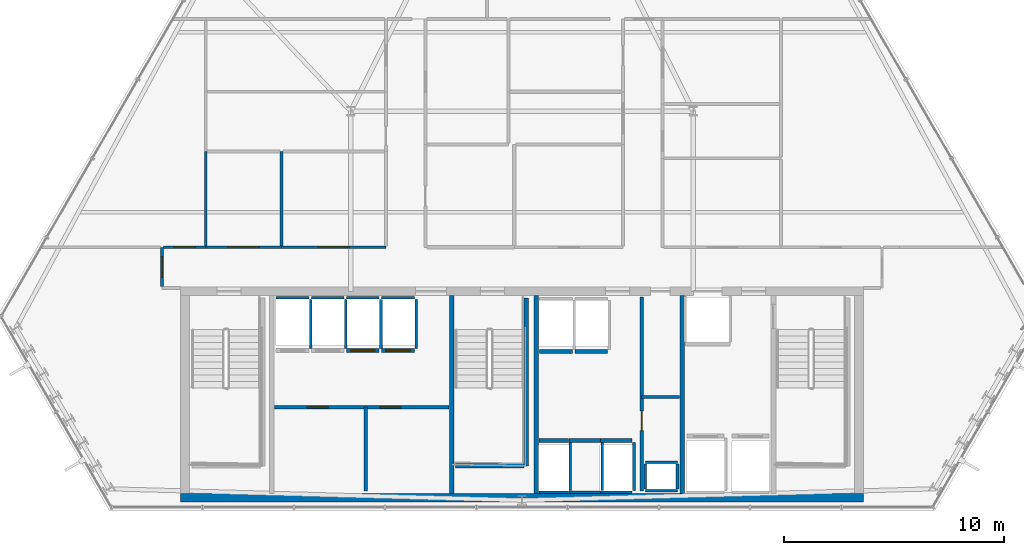
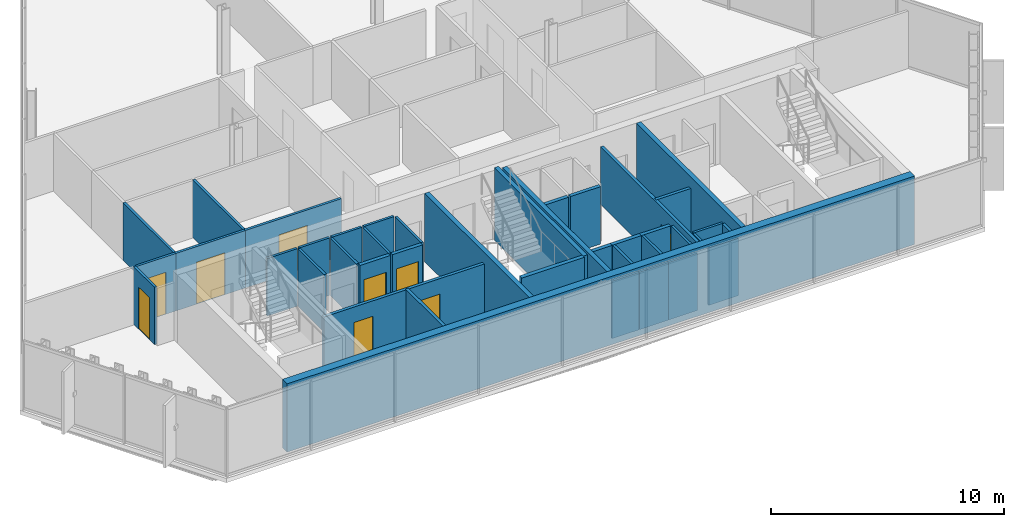
# One storey, part 28 of 35: 41 walls, 9 doors, 9 openings.
"""IFC4 building model written with IfcOpenShell, lengths in metres."""

from ifc_helpers import new_model, si_unit, direction, frame, frame_2d, origin, place, context, subcontext, project, spatial, rectangle, extrude, material, layer, layer_set, type_object, element, fill, save


model = new_model("IFC4")

# Units and contexts
model_context = context("Model", 3, precision=1e-05, world=origin(), true_north=direction((0.0, 1.0)))
body_context = subcontext(model_context, "Body", "Model", "MODEL_VIEW")
ifc_project = project(units=[si_unit("LENGTHUNIT", "METRE"), si_unit("AREAUNIT", "SQUARE_METRE"), si_unit("VOLUMEUNIT", "CUBIC_METRE"), si_unit("PLANEANGLEUNIT", "RADIAN"), si_unit("MASSUNIT", "GRAM", prefix="KILO")], contexts=[model_context])

# Site, building, storey
site_placement = place(None, origin())
site = spatial("IfcSite", under=ifc_project, at=site_placement, CompositionType="ELEMENT")
building_placement = place(site_placement, origin())
building = spatial("IfcBuilding", under=site, at=building_placement, Name="Ndaravel Arena Tower", CompositionType="ELEMENT")
storey_placement = place(building_placement, frame((0.0, 0.0, 176.39990234375)))
storey = spatial("IfcBuildingStorey", under=building, at=storey_placement, Name="L42", CompositionType="ELEMENT", Elevation=176.39990234375)

# Wall, opening, door
ifc_material_1 = material(Name="Gypsum", Category="gypsum")
ifc_layer_1 = layer(ifc_material_1, 0.14990234375)
ifc_layer_set_1 = layer_set([ifc_layer_1], Name="Gypsum")
wall_type_1 = type_object("IfcWallType", Name="WALL-COMP-150", PredefinedType="PARTITIONING", material=ifc_layer_set_1)
wall_1_placement = place(storey_placement, frame((47.449951171875, 5.89990234375, 0.0), z_axis=(0.0, 0.0, 1.0), x_axis=(0.0, 1.0, 0.0)))
wall_1 = element("IfcWall", 1, at=wall_1_placement, inside=storey, type_object=wall_type_1, Name="L42 Core Riser Bay Partition", PredefinedType="PARTITIONING", context=body_context, shape_type="SweptSolid", body=[
    extrude(rectangle(XDim=8.85009765625, YDim=0.14990234375, at=frame_2d((4.425048828125, 0.0))), origin(), (0.0, 0.0, 1.0), 3.010498046875),
])
opening_1_placement = place(wall_1_placement, frame((2.75, 0.0, 0.0)))
opening_1 = element("IfcOpeningElement", 2, at=opening_1_placement, cuts=wall_1, Name="Opening RD-01", PredefinedType="OPENING", context=body_context, shape_type="SweptSolid", body=[
    extrude(rectangle(XDim=0.89990234375, YDim=2.10009765625, at=frame_2d((0.449951171875, 1.050048828125))), frame((0.0, 0.074951171875, 0.0), z_axis=(0.0, -1.0, 0.0), x_axis=(1.0, 0.0, 0.0)), (0.0, 0.0, 1.0), 0.14990234375),
])
ifc_material_2 = material(Name="Steel S355", Category="steel")
door_type_1 = type_object("IfcDoorType", Name="DT-08-RISER-900", OperationType="SINGLE_SWING_LEFT", PredefinedType="DOOR", material=ifc_material_2)
door_1_placement = place(opening_1_placement, origin())
door_1 = element("IfcDoor", 3, at=door_1_placement, inside=storey, type_object=door_type_1, Name="L42 Electrical Riser Door", OperationType="SINGLE_SWING_RIGHT", OverallHeight=2.10009765625, OverallWidth=0.89990234375, PredefinedType="DOOR", context=body_context, shape_type="SweptSolid", body=[
    extrude(rectangle(XDim=0.89990234375, YDim=2.10009765625, at=frame_2d((0.449951171875, 1.050048828125))), frame((0.0, 0.02490234375, 0.0), z_axis=(0.0, -1.0, 0.0), x_axis=(1.0, 0.0, 0.0)), (0.0, 0.0, 1.0), 0.050048828125),
])
fill(opening_1, door_1)

# Wall
wall_2_placement = place(storey_placement, frame((47.449951171875, 10.179931640625, 0.0), z_axis=(0.0, 0.0, 1.0), x_axis=(1.0, 0.0, 0.0)))
element("IfcWall", 4, at=wall_2_placement, inside=storey, type_object=wall_type_1, Name="L42 Core Riser Divider 1", PredefinedType="PARTITIONING", context=body_context, shape_type="SweptSolid", body=[
    extrude(rectangle(XDim=1.72998046875, YDim=0.14990234375, at=frame_2d((0.864990234375, 0.0))), origin(), (0.0, 0.0, 1.0), 3.010498046875),
])

# Wall, openings, doors
wall_3_placement = place(storey_placement, frame((30.719970703125, 9.719970703125, 0.0), z_axis=(0.0, 0.0, 1.0), x_axis=(1.0, 0.0, 0.0)))
wall_3 = element("IfcWall", 5, at=wall_3_placement, inside=storey, type_object=wall_type_1, Name="L42 Reclaimed Shaft Partition", PredefinedType="PARTITIONING", context=body_context, shape_type="SweptSolid", body=[
    extrude(rectangle(XDim=7.9599609375, YDim=0.14990234375, at=frame_2d((3.97998046875, 0.0))), origin(), (0.0, 0.0, 1.0), 3.010498046875),
])
opening_2_placement = place(wall_3_placement, frame((1.5, 0.0, 0.0)))
opening_2 = element("IfcOpeningElement", 6, at=opening_2_placement, cuts=wall_3, Name="Opening FD-03", PredefinedType="OPENING", context=body_context, shape_type="SweptSolid", body=[
    extrude(rectangle(XDim=0.949951171875, YDim=2.199951171875, at=frame_2d((0.47509765625, 1.10009765625))), frame((0.0, 0.074951171875, 0.0), z_axis=(0.0, -1.0, 0.0), x_axis=(1.0, 0.0, 0.0)), (0.0, 0.0, 1.0), 0.14990234375),
])
opening_3_placement = place(wall_3_placement, frame((4.81005859375, 0.0, 0.0)))
opening_3 = element("IfcOpeningElement", 7, at=opening_3_placement, cuts=wall_3, Name="Opening FD-03", PredefinedType="OPENING", context=body_context, shape_type="SweptSolid", body=[
    extrude(rectangle(XDim=0.949951171875, YDim=2.199951171875, at=frame_2d((0.47509765625, 1.10009765625))), frame((0.0, 0.074951171875, 0.0), z_axis=(0.0, -1.0, 0.0), x_axis=(1.0, 0.0, 0.0)), (0.0, 0.0, 1.0), 0.14990234375),
])
ifc_material_3 = material(Name="Steel S355", Category="steel")
door_type_2 = type_object("IfcDoorType", Name="DT-11-CORE-950", OperationType="SINGLE_SWING_LEFT", PredefinedType="DOOR", material=ifc_material_3)
door_2_placement = place(opening_2_placement, origin())
door_2 = element("IfcDoor", 8, at=door_2_placement, inside=storey, type_object=door_type_2, Name="L42 ICT Server Room Door", OperationType="SINGLE_SWING_LEFT", OverallHeight=2.199951171875, OverallWidth=0.949951171875, PredefinedType="DOOR", context=body_context, shape_type="SweptSolid", body=[
    extrude(rectangle(XDim=0.949951171875, YDim=2.199951171875, at=frame_2d((0.47509765625, 1.10009765625))), frame((0.0, 0.02490234375, 0.0), z_axis=(0.0, -1.0, 0.0), x_axis=(1.0, 0.0, 0.0)), (0.0, 0.0, 1.0), 0.050048828125),
])
fill(opening_2, door_2)
door_3_placement = place(opening_3_placement, origin())
door_3 = element("IfcDoor", 9, at=door_3_placement, inside=storey, type_object=door_type_2, Name="L42 Core Archive Room Door", OperationType="SINGLE_SWING_RIGHT", OverallHeight=2.199951171875, OverallWidth=0.949951171875, PredefinedType="DOOR", context=body_context, shape_type="SweptSolid", body=[
    extrude(rectangle(XDim=0.949951171875, YDim=2.199951171875, at=frame_2d((0.47509765625, 1.10009765625))), frame((0.0, 0.02490234375, 0.0), z_axis=(0.0, -1.0, 0.0), x_axis=(1.0, 0.0, 0.0)), (0.0, 0.0, 1.0), 0.050048828125),
])
fill(opening_3, door_3)

# Walls
wall_4_placement = place(storey_placement, frame((34.8798828125, 5.89990234375, 0.0), z_axis=(0.0, 0.0, 1.0), x_axis=(0.0, 1.0, 0.0)))
element("IfcWall", 10, at=wall_4_placement, inside=storey, type_object=wall_type_1, Name="L42 Reclaimed Bay Divider", PredefinedType="PARTITIONING", context=body_context, shape_type="SweptSolid", body=[
    extrude(rectangle(XDim=3.820068359375, YDim=0.14990234375, at=frame_2d((1.91015625, 0.0))), origin(), (0.0, 0.0, 1.0), 3.010498046875),
])
ifc_material_4 = material(Name="Concrete C50/60", Category="concrete")
ifc_layer_2 = layer(ifc_material_4, 0.219970703125)
ifc_layer_set_2 = layer_set([ifc_layer_2], Name="Concrete C50/60")
wall_type_2 = type_object("IfcWallType", Name="WALL-CORE-220", PredefinedType="SOLIDWALL", material=ifc_layer_set_2)
for number, where, z_axis, x_axis, name in (
    (11, (38.800048828125, 5.800048828125, 0.0), (0.0, 0.0, 1.0), (0.0, 1.0, 0.0), "L42 Core Web Shear Wall 2"),
    (12, (42.64990234375, 5.800048828125, 0.0), (0.0, 0.0, 1.0), (0.0, 1.0, 0.0), "L42 Core Web Shear Wall 3"),
    (13, (49.300048828125, 5.800048828125, 0.0), (0.0, 0.0, 1.0), (0.0, 1.0, 0.0), "L42 Core Web Shear Wall 4"),
):
    element("IfcWall", number, at=place(storey_placement, frame(where, z_axis=z_axis, x_axis=x_axis)), inside=storey, type_object=wall_type_2, Name=name, PredefinedType="SOLIDWALL", context=body_context, shape_type="SweptSolid", body=[
        extrude(rectangle(XDim=9.0, YDim=0.219970703125, at=frame_2d((4.5, 0.0))), origin(), (0.0, 0.0, 1.0), 3.580078125),
    ])
ifc_material_5 = material(Name="Concrete C50/60", Category="concrete")
ifc_layer_3 = layer(ifc_material_5, 0.39990234375)
ifc_layer_set_3 = layer_set([ifc_layer_3], Name="Concrete C50/60")
wall_type_3 = type_object("IfcWallType", Name="WALL-CORE-400", PredefinedType="SOLIDWALL", material=ifc_layer_set_3)
wall_5_placement = place(storey_placement, frame((26.449951171875, 5.60009765625, 0.0), z_axis=(0.0, 0.0, 1.0), x_axis=(1.0, 0.0, 0.0)))
element("IfcWall", 14, at=wall_5_placement, inside=storey, type_object=wall_type_3, Name="L42 Core South Shear Wall", PredefinedType="SOLIDWALL", context=body_context, shape_type="SweptSolid", body=[
    extrude(rectangle(XDim=31.10009765625, YDim=0.39990234375, at=frame_2d((15.550048828125, 0.0))), origin(), (0.0, 0.0, 1.0), 3.580078125),
])

# Wall, opening, door
ifc_material_6 = material(Name="Gypsum", Category="gypsum")
ifc_layer_4 = layer(ifc_material_6, 0.125)
ifc_layer_set_4 = layer_set([ifc_layer_4], Name="Gypsum")
wall_type_4 = type_object("IfcWallType", Name="WALL-PART-125", PredefinedType="PARTITIONING", material=ifc_layer_set_4)
wall_6_placement = place(storey_placement, frame((25.60009765625, 15.215087890625, 0.0), z_axis=(0.0, 0.0, 1.0), x_axis=(0.0, 1.0, 0.0)))
wall_6 = element("IfcWall", 15, at=wall_6_placement, inside=storey, type_object=wall_type_4, Name="L42 Interior Partition 004", PredefinedType="PARTITIONING", context=body_context, shape_type="SweptSolid", body=[
    extrude(rectangle(XDim=1.784912109375, YDim=0.125, at=frame_2d((0.892578125, 0.0))), origin(), (0.0, 0.0, 1.0), 3.010498046875),
])
opening_4_placement = place(wall_6_placement, frame((0.41748046875, 0.0, 0.0)))
opening_4 = element("IfcOpeningElement", 16, at=opening_4_placement, cuts=wall_6, Name="Opening ID-01", PredefinedType="OPENING", context=body_context, shape_type="SweptSolid", body=[
    extrude(rectangle(XDim=0.949951171875, YDim=2.199951171875, at=frame_2d((0.47509765625, 1.10009765625))), frame((0.0, 0.0625, 0.0), z_axis=(0.0, -1.0, 0.0), x_axis=(1.0, 0.0, 0.0)), (0.0, 0.0, 1.0), 0.125),
])
ifc_material_7 = material(Name="Timber", Category="wood")
door_type_3 = type_object("IfcDoorType", Name="DT-03-OFFICE-950", OperationType="SINGLE_SWING_LEFT", PredefinedType="DOOR", material=ifc_material_7)
door_4_placement = place(opening_4_placement, origin())
door_4 = element("IfcDoor", 17, at=door_4_placement, inside=storey, type_object=door_type_3, Name="L42 Executive Boardroom Door", OperationType="SINGLE_SWING_LEFT", OverallHeight=2.199951171875, OverallWidth=0.949951171875, PredefinedType="DOOR", context=body_context, shape_type="SweptSolid", body=[
    extrude(rectangle(XDim=0.949951171875, YDim=2.199951171875, at=frame_2d((0.47509765625, 1.10009765625))), frame((0.0, 0.02490234375, 0.0), z_axis=(0.0, -1.0, 0.0), x_axis=(1.0, 0.0, 0.0)), (0.0, 0.0, 1.0), 0.050048828125),
])
fill(opening_4, door_4)

wall_7_placement = place(storey_placement, frame((25.6650390625, 17.0, 0.0), z_axis=(0.0, 0.0, 1.0), x_axis=(1.0, 0.0, 0.0)))
wall_7 = element("IfcWall", 18, at=wall_7_placement, inside=storey, type_object=wall_type_4, Name="L42 Interior Partition 005", PredefinedType="PARTITIONING", context=body_context, shape_type="SweptSolid", body=[
    extrude(rectangle(XDim=1.93505859375, YDim=0.125, at=frame_2d((0.967529296875, 0.0))), origin(), (0.0, 0.0, 1.0), 3.010498046875),
])
opening_5_placement = place(wall_7_placement, frame((0.492431640625, 0.0, 0.0)))
opening_5 = element("IfcOpeningElement", 19, at=opening_5_placement, cuts=wall_7, Name="Opening ID-01", PredefinedType="OPENING", context=body_context, shape_type="SweptSolid", body=[
    extrude(rectangle(XDim=0.949951171875, YDim=2.199951171875, at=frame_2d((0.47509765625, 1.10009765625))), frame((0.0, 0.0625, 0.0), z_axis=(0.0, -1.0, 0.0), x_axis=(1.0, 0.0, 0.0)), (0.0, 0.0, 1.0), 0.125),
])
door_5_placement = place(opening_5_placement, origin())
door_5 = element("IfcDoor", 20, at=door_5_placement, inside=storey, type_object=door_type_3, Name="L42 Refreshment Kiosk 2 Door", OperationType="SINGLE_SWING_RIGHT", OverallHeight=2.199951171875, OverallWidth=0.949951171875, PredefinedType="DOOR", context=body_context, shape_type="SweptSolid", body=[
    extrude(rectangle(XDim=0.949951171875, YDim=2.199951171875, at=frame_2d((0.47509765625, 1.10009765625))), frame((0.0, 0.02490234375, 0.0), z_axis=(0.0, -1.0, 0.0), x_axis=(1.0, 0.0, 0.0)), (0.0, 0.0, 1.0), 0.050048828125),
])
fill(opening_5, door_5)

wall_8_placement = place(storey_placement, frame((27.60009765625, 17.0, 0.0), z_axis=(0.0, 0.0, 1.0), x_axis=(1.0, 0.0, 0.0)))
wall_8 = element("IfcWall", 21, at=wall_8_placement, inside=storey, type_object=wall_type_4, Name="L42 Interior Partition 006", PredefinedType="PARTITIONING", context=body_context, shape_type="SweptSolid", body=[
    extrude(rectangle(XDim=3.44384765625, YDim=0.125, at=frame_2d((1.721923828125, 0.0))), origin(), (0.0, 0.0, 1.0), 3.010498046875),
])
opening_6_placement = place(wall_8_placement, frame((1.02197265625, 0.0, 0.0)))
opening_6 = element("IfcOpeningElement", 22, at=opening_6_placement, cuts=wall_8, Name="Opening ID-02", PredefinedType="OPENING", context=body_context, shape_type="SweptSolid", body=[
    extrude(rectangle(XDim=1.39990234375, YDim=2.199951171875, at=frame_2d((0.699951171875, 1.10009765625))), frame((0.0, 0.0625, 0.0), z_axis=(0.0, -1.0, 0.0), x_axis=(1.0, 0.0, 0.0)), (0.0, 0.0, 1.0), 0.125),
])
ifc_material_8 = material(Name="Timber", Category="wood")
door_type_4 = type_object("IfcDoorType", Name="DT-04-SUITE-1400", OperationType="DOUBLE_DOOR_SINGLE_SWING", PredefinedType="DOOR", material=ifc_material_8)
door_6_placement = place(opening_6_placement, origin())
door_6 = element("IfcDoor", 23, at=door_6_placement, inside=storey, type_object=door_type_4, Name="L42 Visitor Reception Desk Door", OperationType="SINGLE_SWING_RIGHT", OverallHeight=2.199951171875, OverallWidth=1.39990234375, PredefinedType="DOOR", context=body_context, shape_type="SweptSolid", body=[
    extrude(rectangle(XDim=1.39990234375, YDim=2.199951171875, at=frame_2d((0.699951171875, 1.10009765625))), frame((0.0, 0.02490234375, 0.0), z_axis=(0.0, -1.0, 0.0), x_axis=(1.0, 0.0, 0.0)), (0.0, 0.0, 1.0), 0.050048828125),
])
fill(opening_6, door_6)

wall_9_placement = place(storey_placement, frame((31.0439453125, 17.0, 0.0), z_axis=(0.0, 0.0, 1.0), x_axis=(1.0, 0.0, 0.0)))
wall_9 = element("IfcWall", 24, at=wall_9_placement, inside=storey, type_object=wall_type_4, Name="L42 Interior Partition 007", PredefinedType="PARTITIONING", context=body_context, shape_type="SweptSolid", body=[
    extrude(rectangle(XDim=4.756103515625, YDim=0.125, at=frame_2d((2.3779296875, 0.0))), origin(), (0.0, 0.0, 1.0), 3.010498046875),
])
opening_7_placement = place(wall_9_placement, frame((1.677978515625, 0.0, 0.0)))
opening_7 = element("IfcOpeningElement", 25, at=opening_7_placement, cuts=wall_9, Name="Opening ID-02", PredefinedType="OPENING", context=body_context, shape_type="SweptSolid", body=[
    extrude(rectangle(XDim=1.39990234375, YDim=2.199951171875, at=frame_2d((0.699951171875, 1.10009765625))), frame((0.0, 0.0625, 0.0), z_axis=(0.0, -1.0, 0.0), x_axis=(1.0, 0.0, 0.0)), (0.0, 0.0, 1.0), 0.125),
])
door_7_placement = place(opening_7_placement, origin())
door_7 = element("IfcDoor", 26, at=door_7_placement, inside=storey, type_object=door_type_4, Name="L42 Client Conference Room 2 Door", OperationType="SINGLE_SWING_LEFT", OverallHeight=2.199951171875, OverallWidth=1.39990234375, PredefinedType="DOOR", context=body_context, shape_type="SweptSolid", body=[
    extrude(rectangle(XDim=1.39990234375, YDim=2.199951171875, at=frame_2d((0.699951171875, 1.10009765625))), frame((0.0, 0.02490234375, 0.0), z_axis=(0.0, -1.0, 0.0), x_axis=(1.0, 0.0, 0.0)), (0.0, 0.0, 1.0), 0.050048828125),
])
fill(opening_7, door_7)

# Walls
for number, where, z_axis, x_axis, name in (
    (27, (31.0439453125, 21.367919921875, 0.0), (0.0, 0.0, 1.0), (0.0, -1.0, 0.0), "L42 Interior Partition 030"),
    (28, (27.60009765625, 17.06494140625, 0.0), (0.0, 0.0, 1.0), (0.0, 1.0, 0.0), "L42 Interior Partition 031"),
):
    element("IfcWall", number, at=place(storey_placement, frame(where, z_axis=z_axis, x_axis=x_axis)), inside=storey, type_object=wall_type_4, Name=name, PredefinedType="PARTITIONING", context=body_context, shape_type="SweptSolid", body=[
        extrude(rectangle(XDim=4.302978515625, YDim=0.125, at=frame_2d((2.1513671875, 0.0))), origin(), (0.0, 0.0, 1.0), 3.010498046875),
    ])
ifc_material_9 = material(Name="Concrete C40/50", Category="concrete")
ifc_layer_5 = layer(ifc_material_9, 0.1201171875)
ifc_layer_set_5 = layer_set([ifc_layer_5], Name="Concrete C40/50")
wall_type_5 = type_object("IfcWallType", Name="WALL-SHAFT-120", PredefinedType="SOLIDWALL", material=ifc_layer_set_5)
for number, where, z_axis, x_axis, name in (
    (29, (47.6201171875, 5.919921875, 0.0), (0.0, 0.0, 1.0), (1.0, 0.0, 0.0), "L42 MEP Riser Shaft S Wall"),
    (30, (47.6201171875, 7.219970703125, 0.0), (0.0, 0.0, 1.0), (1.0, 0.0, 0.0), "L42 MEP Riser Shaft N Wall"),
):
    element("IfcWall", number, at=place(storey_placement, frame(where, z_axis=z_axis, x_axis=x_axis)), inside=storey, type_object=wall_type_5, Name=name, PredefinedType="SOLIDWALL", context=body_context, shape_type="SweptSolid", body=[
        extrude(rectangle(XDim=1.4599609375, YDim=0.1201171875, at=frame_2d((0.72998046875, 0.0))), origin(), (0.0, 0.0, 1.0), 3.010498046875),
    ])
for number, where, z_axis, x_axis, name in (
    (31, (47.6201171875, 6.0, 0.0), (0.0, 0.0, 1.0), (0.0, 1.0, 0.0), "L42 MEP Riser Shaft W Wall"),
    (32, (49.080078125, 6.0, 0.0), (0.0, 0.0, 1.0), (0.0, 1.0, 0.0), "L42 MEP Riser Shaft E Wall"),
):
    element("IfcWall", number, at=place(storey_placement, frame(where, z_axis=z_axis, x_axis=x_axis)), inside=storey, type_object=wall_type_5, Name=name, PredefinedType="SOLIDWALL", context=body_context, shape_type="SweptSolid", body=[
        extrude(rectangle(XDim=1.139892578125, YDim=0.1201171875, at=frame_2d((0.56982421875, 0.0))), origin(), (0.0, 0.0, 1.0), 3.010498046875),
    ])
wall_10_placement = place(storey_placement, frame((30.804931640625, 14.7099609375, 0.0), z_axis=(0.0, 0.0, 1.0), x_axis=(1.0, 0.0, 0.0)))
element("IfcWall", 33, at=wall_10_placement, inside=storey, type_object=wall_type_5, Name="L42 PL-M1 Shaft Rear Wall", PredefinedType="SOLIDWALL", context=body_context, shape_type="SweptSolid", body=[
    extrude(rectangle(XDim=1.489990234375, YDim=0.1201171875, at=frame_2d((0.7451171875, 0.0))), origin(), (0.0, 0.0, 1.0), 3.010498046875),
])
wall_11_placement = place(storey_placement, frame((32.375, 12.389892578125, 0.0), z_axis=(0.0, 0.0, 1.0), x_axis=(0.0, 1.0, 0.0)))
element("IfcWall", 34, at=wall_11_placement, inside=storey, type_object=wall_type_5, Name="L42 PL-M1 Shaft Side R Wall", PredefinedType="SOLIDWALL", context=body_context, shape_type="SweptSolid", body=[
    extrude(rectangle(XDim=2.230224609375, YDim=0.1201171875, at=frame_2d((1.115234375, 0.0))), origin(), (0.0, 0.0, 1.0), 3.010498046875),
])
wall_12_placement = place(storey_placement, frame((32.405029296875, 14.7099609375, 0.0), z_axis=(0.0, 0.0, 1.0), x_axis=(1.0, 0.0, 0.0)))
element("IfcWall", 35, at=wall_12_placement, inside=storey, type_object=wall_type_5, Name="L42 PL-M2 Shaft Rear Wall", PredefinedType="SOLIDWALL", context=body_context, shape_type="SweptSolid", body=[
    extrude(rectangle(XDim=1.489990234375, YDim=0.1201171875, at=frame_2d((0.7451171875, 0.0))), origin(), (0.0, 0.0, 1.0), 3.010498046875),
])
wall_13_placement = place(storey_placement, frame((33.97509765625, 12.389892578125, 0.0), z_axis=(0.0, 0.0, 1.0), x_axis=(0.0, 1.0, 0.0)))
element("IfcWall", 36, at=wall_13_placement, inside=storey, type_object=wall_type_5, Name="L42 PL-M2 Shaft Side R Wall", PredefinedType="SOLIDWALL", context=body_context, shape_type="SweptSolid", body=[
    extrude(rectangle(XDim=2.230224609375, YDim=0.1201171875, at=frame_2d((1.115234375, 0.0))), origin(), (0.0, 0.0, 1.0), 3.010498046875),
])
wall_14_placement = place(storey_placement, frame((34.0048828125, 14.7099609375, 0.0), z_axis=(0.0, 0.0, 1.0), x_axis=(1.0, 0.0, 0.0)))
element("IfcWall", 37, at=wall_14_placement, inside=storey, type_object=wall_type_5, Name="L42 PL-M3 Shaft Rear Wall", PredefinedType="SOLIDWALL", context=body_context, shape_type="SweptSolid", body=[
    extrude(rectangle(XDim=1.490234375, YDim=0.1201171875, at=frame_2d((0.7451171875, 0.0))), origin(), (0.0, 0.0, 1.0), 3.010498046875),
])
wall_15_placement = place(storey_placement, frame((35.574951171875, 12.389892578125, 0.0), z_axis=(0.0, 0.0, 1.0), x_axis=(0.0, 1.0, 0.0)))
element("IfcWall", 38, at=wall_15_placement, inside=storey, type_object=wall_type_5, Name="L42 PL-M3 Shaft Side R Wall", PredefinedType="SOLIDWALL", context=body_context, shape_type="SweptSolid", body=[
    extrude(rectangle(XDim=2.230224609375, YDim=0.1201171875, at=frame_2d((1.115234375, 0.0))), origin(), (0.0, 0.0, 1.0), 3.010498046875),
])
wall_16_placement = place(storey_placement, frame((35.60498046875, 14.7099609375, 0.0), z_axis=(0.0, 0.0, 1.0), x_axis=(1.0, 0.0, 0.0)))
element("IfcWall", 39, at=wall_16_placement, inside=storey, type_object=wall_type_5, Name="L42 PL-M4 Shaft Rear Wall", PredefinedType="SOLIDWALL", context=body_context, shape_type="SweptSolid", body=[
    extrude(rectangle(XDim=1.489990234375, YDim=0.1201171875, at=frame_2d((0.7451171875, 0.0))), origin(), (0.0, 0.0, 1.0), 3.010498046875),
])
wall_17_placement = place(storey_placement, frame((37.175048828125, 12.389892578125, 0.0), z_axis=(0.0, 0.0, 1.0), x_axis=(0.0, 1.0, 0.0)))
element("IfcWall", 40, at=wall_17_placement, inside=storey, type_object=wall_type_5, Name="L42 PL-M4 Shaft Side R Wall", PredefinedType="SOLIDWALL", context=body_context, shape_type="SweptSolid", body=[
    extrude(rectangle(XDim=2.230224609375, YDim=0.1201171875, at=frame_2d((1.115234375, 0.0))), origin(), (0.0, 0.0, 1.0), 3.010498046875),
])
wall_18_placement = place(storey_placement, frame((42.780029296875, 5.840087890625, 0.0), z_axis=(0.0, 0.0, 1.0), x_axis=(1.0, 0.0, 0.0)))
element("IfcWall", 41, at=wall_18_placement, inside=storey, type_object=wall_type_5, Name="L42 PL-H1 Shaft Rear Wall", PredefinedType="SOLIDWALL", context=body_context, shape_type="SweptSolid", body=[
    extrude(rectangle(XDim=1.340087890625, YDim=0.1201171875, at=frame_2d((0.669921875, 0.0))), origin(), (0.0, 0.0, 1.0), 3.010498046875),
])
wall_19_placement = place(storey_placement, frame((44.199951171875, 5.929931640625, 0.0), z_axis=(0.0, 0.0, 1.0), x_axis=(0.0, 1.0, 0.0)))
element("IfcWall", 42, at=wall_19_placement, inside=storey, type_object=wall_type_5, Name="L42 PL-H1 Shaft Side R Wall", PredefinedType="SOLIDWALL", context=body_context, shape_type="SweptSolid", body=[
    extrude(rectangle(XDim=2.18017578125, YDim=0.1201171875, at=frame_2d((1.090087890625, 0.0))), origin(), (0.0, 0.0, 1.0), 3.010498046875),
])
wall_20_placement = place(storey_placement, frame((44.1298828125, 5.840087890625, 0.0), z_axis=(0.0, 0.0, 1.0), x_axis=(1.0, 0.0, 0.0)))
element("IfcWall", 43, at=wall_20_placement, inside=storey, type_object=wall_type_5, Name="L42 PL-H2 Shaft Rear Wall", PredefinedType="SOLIDWALL", context=body_context, shape_type="SweptSolid", body=[
    extrude(rectangle(XDim=1.440185546875, YDim=0.1201171875, at=frame_2d((0.72021484375, 0.0))), origin(), (0.0, 0.0, 1.0), 3.010498046875),
])
wall_21_placement = place(storey_placement, frame((45.64990234375, 5.929931640625, 0.0), z_axis=(0.0, 0.0, 1.0), x_axis=(0.0, 1.0, 0.0)))
element("IfcWall", 44, at=wall_21_placement, inside=storey, type_object=wall_type_5, Name="L42 PL-H2 Shaft Side R Wall", PredefinedType="SOLIDWALL", context=body_context, shape_type="SweptSolid", body=[
    extrude(rectangle(XDim=2.18017578125, YDim=0.1201171875, at=frame_2d((1.090087890625, 0.0))), origin(), (0.0, 0.0, 1.0), 3.010498046875),
])
wall_22_placement = place(storey_placement, frame((45.580078125, 5.840087890625, 0.0), z_axis=(0.0, 0.0, 1.0), x_axis=(1.0, 0.0, 0.0)))
element("IfcWall", 45, at=wall_22_placement, inside=storey, type_object=wall_type_5, Name="L42 PL-H3 Shaft Rear Wall", PredefinedType="SOLIDWALL", context=body_context, shape_type="SweptSolid", body=[
    extrude(rectangle(XDim=1.43994140625, YDim=0.1201171875, at=frame_2d((0.719970703125, 0.0))), origin(), (0.0, 0.0, 1.0), 3.010498046875),
])
wall_23_placement = place(storey_placement, frame((47.10009765625, 5.929931640625, 0.0), z_axis=(0.0, 0.0, 1.0), x_axis=(0.0, 1.0, 0.0)))
element("IfcWall", 46, at=wall_23_placement, inside=storey, type_object=wall_type_5, Name="L42 PL-H3 Shaft Side R Wall", PredefinedType="SOLIDWALL", context=body_context, shape_type="SweptSolid", body=[
    extrude(rectangle(XDim=2.18017578125, YDim=0.1201171875, at=frame_2d((1.090087890625, 0.0))), origin(), (0.0, 0.0, 1.0), 3.010498046875),
])
ifc_material_10 = material(Name="Concrete C40/50", Category="concrete")
ifc_layer_6 = layer(ifc_material_10, 0.199951171875)
ifc_layer_set_6 = layer_set([ifc_layer_6], Name="Concrete C40/50")
wall_type_6 = type_object("IfcWallType", Name="WALL-SHAFT-200", PredefinedType="SOLIDWALL", material=ifc_layer_set_6)
wall_24_placement = place(storey_placement, frame((42.18994140625, 14.699951171875, 0.0), z_axis=(0.0, 0.0, 1.0), x_axis=(0.0, -1.0, 0.0)))
element("IfcWall", 47, at=wall_24_placement, inside=storey, type_object=wall_type_6, Name="L42 ST-2 Structural Shaft Wall Right", PredefinedType="SOLIDWALL", context=body_context, shape_type="SweptSolid", body=[
    extrude(rectangle(XDim=7.64990234375, YDim=0.199951171875, at=frame_2d((3.824951171875, 0.0))), origin(), (0.0, 0.0, 1.0), 3.800048828125),
])
wall_25_placement = place(storey_placement, frame((38.969970703125, 7.050048828125, 0.0), z_axis=(0.0, 0.0, 1.0), x_axis=(1.0, 0.0, 0.0)))
element("IfcWall", 48, at=wall_25_placement, inside=storey, type_object=wall_type_6, Name="L42 ST-2 Structural Shaft Wall Far", PredefinedType="SOLIDWALL", context=body_context, shape_type="SweptSolid", body=[
    extrude(rectangle(XDim=3.114990234375, YDim=0.199951171875, at=frame_2d((1.5576171875, 0.0))), origin(), (0.0, 0.0, 1.0), 3.800048828125),
])

# Wall, opening, door
wall_26_placement = place(storey_placement, frame((34.0048828125, 12.300048828125, 0.0), z_axis=(0.0, 0.0, 1.0), x_axis=(1.0, 0.0, 0.0)))
wall_26 = element("IfcWall", 49, at=wall_26_placement, inside=storey, type_object=wall_type_6, Name="L42 PL-M3 Shaft Landing Wall", PredefinedType="SOLIDWALL", context=body_context, shape_type="SweptSolid", body=[
    extrude(rectangle(XDim=1.490234375, YDim=0.179931640625, at=frame_2d((0.7451171875, 0.0))), origin(), (0.0, 0.0, 1.0), 3.010498046875),
])
opening_8_placement = place(wall_26_placement, frame((0.195068359375, 0.0, 0.0)))
opening_8 = element("IfcOpeningElement", 50, at=opening_8_placement, cuts=wall_26, Name="Opening LD-01", PredefinedType="OPENING", context=body_context, shape_type="SweptSolid", body=[
    extrude(rectangle(XDim=1.10009765625, YDim=2.199951171875, at=frame_2d((0.550048828125, 1.10009765625))), frame((0.0, 0.08984375, 0.0), z_axis=(0.0, -1.0, 0.0), x_axis=(1.0, 0.0, 0.0)), (0.0, 0.0, 1.0), 0.179931640625),
])
ifc_material_11 = material(Name="Steel S355", Category="steel")
door_type_5 = type_object("IfcDoorType", Name="DT-06-LIFT-1100", OperationType="SLIDING_TO_LEFT", PredefinedType="DOOR", material=ifc_material_11)
door_8_placement = place(opening_8_placement, origin())
door_8 = element("IfcDoor", 51, at=door_8_placement, inside=storey, type_object=door_type_5, Name="L42 Lift PL-M3 Sliding Landing Door", OperationType="SLIDING_TO_LEFT", OverallHeight=2.199951171875, OverallWidth=1.10009765625, PredefinedType="DOOR", context=body_context, shape_type="SweptSolid", body=[
    extrude(rectangle(XDim=1.10009765625, YDim=2.199951171875, at=frame_2d((0.550048828125, 1.10009765625))), frame((0.0, 0.02490234375, 0.0), z_axis=(0.0, -1.0, 0.0), x_axis=(1.0, 0.0, 0.0)), (0.0, 0.0, 1.0), 0.050048828125),
])
fill(opening_8, door_8)

wall_27_placement = place(storey_placement, frame((35.60498046875, 12.300048828125, 0.0), z_axis=(0.0, 0.0, 1.0), x_axis=(1.0, 0.0, 0.0)))
wall_27 = element("IfcWall", 52, at=wall_27_placement, inside=storey, type_object=wall_type_6, Name="L42 PL-M4 Shaft Landing Wall", PredefinedType="SOLIDWALL", context=body_context, shape_type="SweptSolid", body=[
    extrude(rectangle(XDim=1.489990234375, YDim=0.179931640625, at=frame_2d((0.7451171875, 0.0))), origin(), (0.0, 0.0, 1.0), 3.010498046875),
])
opening_9_placement = place(wall_27_placement, frame((0.195068359375, 0.0, 0.0)))
opening_9 = element("IfcOpeningElement", 53, at=opening_9_placement, cuts=wall_27, Name="Opening LD-01", PredefinedType="OPENING", context=body_context, shape_type="SweptSolid", body=[
    extrude(rectangle(XDim=1.10009765625, YDim=2.199951171875, at=frame_2d((0.550048828125, 1.10009765625))), frame((0.0, 0.08984375, 0.0), z_axis=(0.0, -1.0, 0.0), x_axis=(1.0, 0.0, 0.0)), (0.0, 0.0, 1.0), 0.179931640625),
])
door_9_placement = place(opening_9_placement, origin())
door_9 = element("IfcDoor", 54, at=door_9_placement, inside=storey, type_object=door_type_5, Name="L42 Lift PL-M4 Sliding Landing Door", OperationType="SLIDING_TO_LEFT", OverallHeight=2.199951171875, OverallWidth=1.10009765625, PredefinedType="DOOR", context=body_context, shape_type="SweptSolid", body=[
    extrude(rectangle(XDim=1.10009765625, YDim=2.199951171875, at=frame_2d((0.550048828125, 1.10009765625))), frame((0.0, 0.02490234375, 0.0), z_axis=(0.0, -1.0, 0.0), x_axis=(1.0, 0.0, 0.0)), (0.0, 0.0, 1.0), 0.050048828125),
])
fill(opening_9, door_9)

# Walls
wall_28_placement = place(storey_placement, frame((42.780029296875, 8.199951171875, 0.0), z_axis=(0.0, 0.0, 1.0), x_axis=(1.0, 0.0, 0.0)))
element("IfcWall", 55, at=wall_28_placement, inside=storey, type_object=wall_type_6, Name="L42 PL-H1 Shaft Landing Wall", PredefinedType="SOLIDWALL", context=body_context, shape_type="SweptSolid", body=[
    extrude(rectangle(XDim=1.340087890625, YDim=0.179931640625, at=frame_2d((0.669921875, 0.0))), origin(), (0.0, 0.0, 1.0), 3.010498046875),
])
wall_29_placement = place(storey_placement, frame((44.1298828125, 8.199951171875, 0.0), z_axis=(0.0, 0.0, 1.0), x_axis=(1.0, 0.0, 0.0)))
element("IfcWall", 56, at=wall_29_placement, inside=storey, type_object=wall_type_6, Name="L42 PL-H2 Shaft Landing Wall", PredefinedType="SOLIDWALL", context=body_context, shape_type="SweptSolid", body=[
    extrude(rectangle(XDim=1.440185546875, YDim=0.179931640625, at=frame_2d((0.72021484375, 0.0))), origin(), (0.0, 0.0, 1.0), 3.010498046875),
])
wall_30_placement = place(storey_placement, frame((45.580078125, 8.199951171875, 0.0), z_axis=(0.0, 0.0, 1.0), x_axis=(1.0, 0.0, 0.0)))
element("IfcWall", 57, at=wall_30_placement, inside=storey, type_object=wall_type_6, Name="L42 PL-H3 Shaft Landing Wall", PredefinedType="SOLIDWALL", context=body_context, shape_type="SweptSolid", body=[
    extrude(rectangle(XDim=1.43994140625, YDim=0.179931640625, at=frame_2d((0.719970703125, 0.0))), origin(), (0.0, 0.0, 1.0), 3.010498046875),
])
for number, where, z_axis, x_axis, name in (
    (58, (42.804931640625, 12.25, 0.0), (0.0, 0.0, 1.0), (1.0, 0.0, 0.0), "L42 PL-OBS1 Shaft Landing Wall"),
    (59, (44.405029296875, 12.25, 0.0), (0.0, 0.0, 1.0), (1.0, 0.0, 0.0), "L42 PL-OBS2 Shaft Landing Wall"),
):
    element("IfcWall", number, at=place(storey_placement, frame(where, z_axis=z_axis, x_axis=x_axis)), inside=storey, type_object=wall_type_6, Name=name, PredefinedType="SOLIDWALL", context=body_context, shape_type="SweptSolid", body=[
        extrude(rectangle(XDim=1.489990234375, YDim=0.179931640625, at=frame_2d((0.7451171875, 0.0))), origin(), (0.0, 0.0, 1.0), 3.010498046875),
    ])

save(model, "model.ifc")
